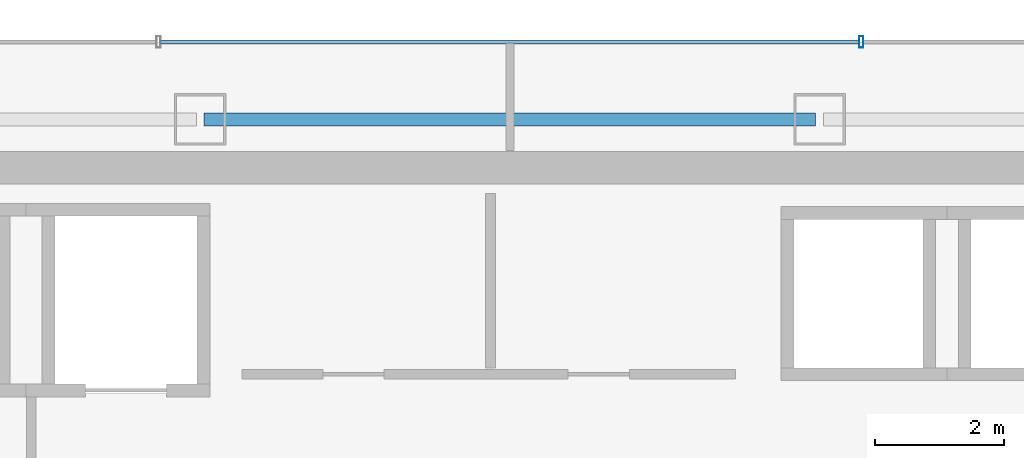
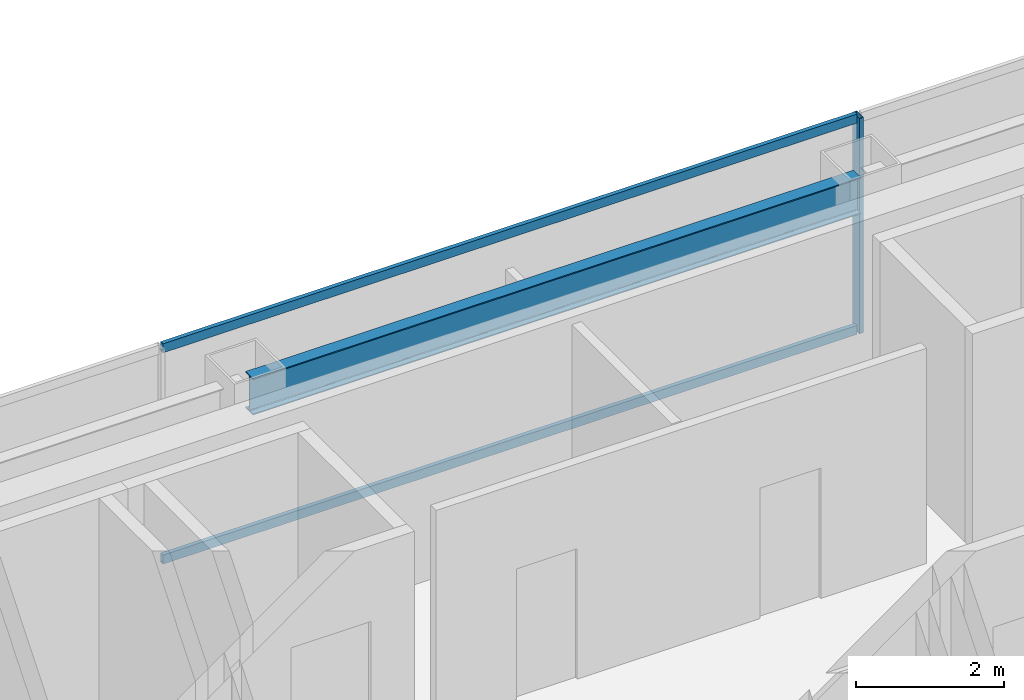
# One storey, part 25 of 36: 3 members, 1 beam, 1 element without a shape of its own.
"""IFC4 building model written with IfcOpenShell, lengths in metres."""

from ifc_helpers import new_model, si_unit, direction, frame, origin, origin_2d, place, context, subcontext, project, spatial, hollow_rectangle, i_section, extrude, material, material_profile, profile_set, type_object, element, aggregate, save


model = new_model("IFC4")

# Units and contexts
model_context = context("Model", 3, precision=1e-05, world=origin(), true_north=direction((0.0, 1.0)))
body_context = subcontext(model_context, "Body", "Model", "MODEL_VIEW")
ifc_project = project(units=[si_unit("LENGTHUNIT", "METRE"), si_unit("AREAUNIT", "SQUARE_METRE"), si_unit("VOLUMEUNIT", "CUBIC_METRE"), si_unit("PLANEANGLEUNIT", "RADIAN"), si_unit("MASSUNIT", "GRAM", prefix="KILO")], contexts=[model_context])

# Site, building, storey
site_placement = place(None, origin())
site = spatial("IfcSite", under=ifc_project, at=site_placement, CompositionType="ELEMENT")
building_placement = place(site_placement, origin())
building = spatial("IfcBuilding", under=site, at=building_placement, Name="Saevonmaru Cultural Tower", CompositionType="ELEMENT")
storey_placement = place(building_placement, frame((0.0, 0.0, 209.39990234375)))
storey = spatial("IfcBuildingStorey", under=building, at=storey_placement, Name="L48", CompositionType="ELEMENT", Elevation=209.39990234375)

# Beam
ifc_material_1 = material(Name="Steel SM355", Category="steel")
ifc_material_profile_1 = material_profile(ifc_material_1, i_section(OverallWidth=0.199951171875, OverallDepth=0.60009765625, WebThickness=0.010986328125, FlangeThickness=0.01708984375, FilletRadius=0.02197265625, at=origin_2d()), Name="H-600x200x11x17")
ifc_profile_set_1 = profile_set([ifc_material_profile_1], Name="Steel SM355")
beam_type = type_object("IfcBeamType", Name="BM-SP-H600", PredefinedType="SPANDREL", material=ifc_profile_set_1)
beam_placement = place(storey_placement, frame((25.260009765625, 54.800048828125, 3.25), z_axis=(1.0, 0.0, 0.0), x_axis=(0.0, 1.0, 0.0)))
element("IfcBeam", 1, at=beam_placement, inside=storey, type_object=beam_type, Name="L48 North Spine Girder 3", PredefinedType="SPANDREL", context=body_context, shape_type="SweptSolid", body=[
    extrude(i_section(OverallWidth=0.199951171875, OverallDepth=0.60009765625, WebThickness=0.010986328125, FlangeThickness=0.01708984375, FilletRadius=0.02197265625, at=origin_2d()), origin(), (0.0, 0.0, 1.0), 9.47998046875),
])

# Curtain wall, members
ifc_material_2 = material(Name="Satin Bronze Anodised Aluminium", Category="aluminium")
curtain_wall_type = type_object("IfcCurtainWallType", Name="CW-TYP-B", PredefinedType="NOTDEFINED", material=ifc_material_2)
curtain_wall_placement = place(storey_placement, origin())
curtain_wall = element("IfcCurtainWall", 2, at=curtain_wall_placement, inside=storey, type_object=curtain_wall_type, Name="L48 North Spine Unitised Curtain Wall E10B", PredefinedType="NOTDEFINED")
ifc_material_profile_2 = material_profile(ifc_material_2, hollow_rectangle(XDim=0.06494140625, YDim=0.179931640625, WallThickness=0.00390625, at=origin_2d()), Name="ALU-MULL-180x65x4")
ifc_profile_set_2 = profile_set([ifc_material_profile_2], Name="Satin Bronze Anodised Aluminium")
member_type_1 = type_object("IfcMemberType", Name="ML-CW-180x65", PredefinedType="MULLION", material=ifc_profile_set_2)
member_1_placement = place(storey_placement, frame((35.44677734375, 56.0, 0.0), z_axis=(0.0, 0.0, 1.0), x_axis=(-1.0, 0.0, 0.0)))
member_1 = element("IfcMember", 3, at=member_1_placement, type_object=member_type_1, Name="CW-TW-L48-E10B mullion 2", PredefinedType="MULLION", context=body_context, shape_type="SweptSolid", body=[
    extrude(hollow_rectangle(XDim=0.06494140625, YDim=0.179931640625, WallThickness=0.00390625, at=origin_2d()), origin(), (0.0, 0.0, 1.0), 3.550048828125),
])
ifc_material_profile_3 = material_profile(ifc_material_2, hollow_rectangle(XDim=0.06494140625, YDim=0.14990234375, WallThickness=0.00390625, at=origin_2d()), Name="ALU-TRAN-150x65x4")
ifc_profile_set_3 = profile_set([ifc_material_profile_3], Name="Satin Bronze Anodised Aluminium")
member_type_2 = type_object("IfcMemberType", Name="TR-CW-150x65", PredefinedType="USERDEFINED", material=ifc_profile_set_3)
member_2_placement = place(storey_placement, frame((35.4140625, 56.0, 0.03271484375), z_axis=(-1.0, 0.0, 0.0), x_axis=(0.0, -1.0, 0.0)))
member_2 = element("IfcMember", 4, at=member_2_placement, type_object=member_type_2, Name="CW-TW-L48-E10B transom 2.1", ObjectType="TRANSOM", PredefinedType="USERDEFINED", context=body_context, shape_type="SweptSolid", body=[
    extrude(hollow_rectangle(XDim=0.06494140625, YDim=0.14990234375, WallThickness=0.00390625, at=origin_2d()), origin(), (0.0, 0.0, 1.0), 10.828125),
])
member_3_placement = place(storey_placement, frame((35.4140625, 56.0, 3.517578125), z_axis=(-1.0, 0.0, 0.0), x_axis=(0.0, -1.0, 0.0)))
member_3 = element("IfcMember", 5, at=member_3_placement, type_object=member_type_2, Name="CW-TW-L48-E10B transom 2.2", ObjectType="TRANSOM", PredefinedType="USERDEFINED", context=body_context, shape_type="SweptSolid", body=[
    extrude(hollow_rectangle(XDim=0.06494140625, YDim=0.14990234375, WallThickness=0.00390625, at=origin_2d()), origin(), (0.0, 0.0, 1.0), 10.828125),
])
aggregate(curtain_wall, [member_1, member_2, member_3])

save(model, "model.ifc")
